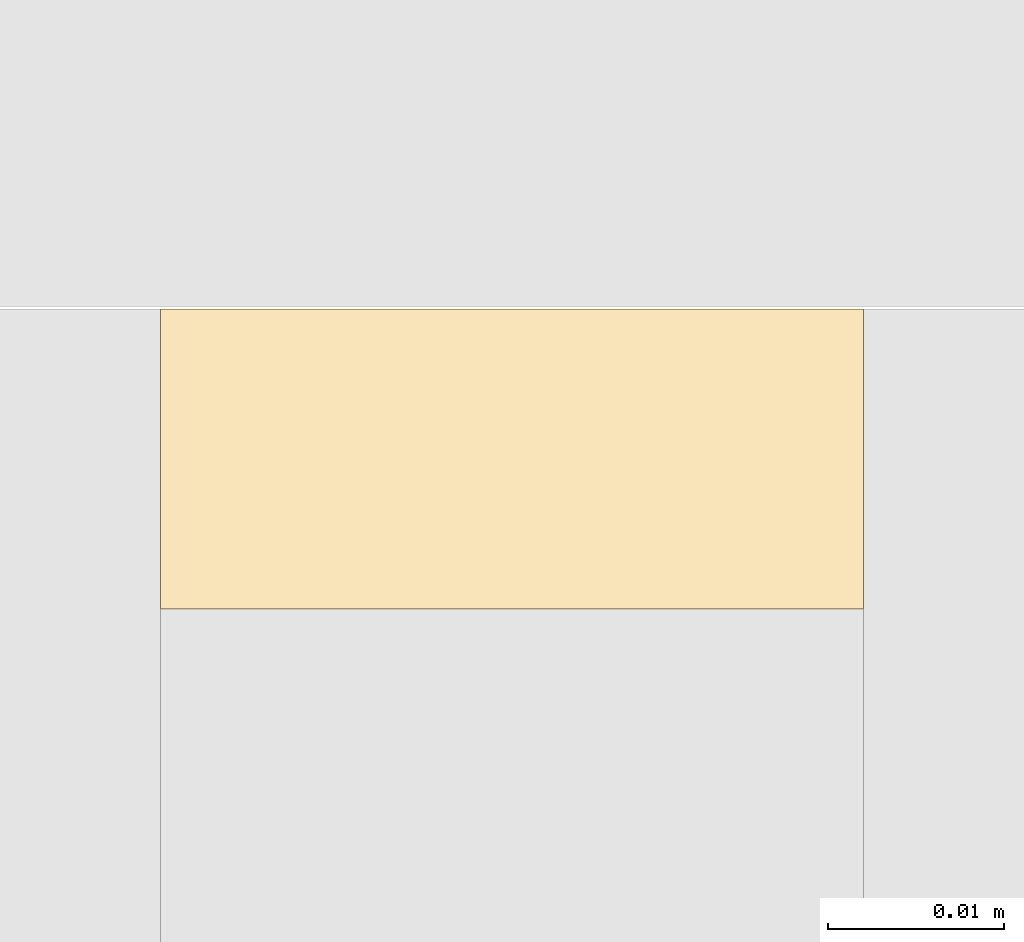
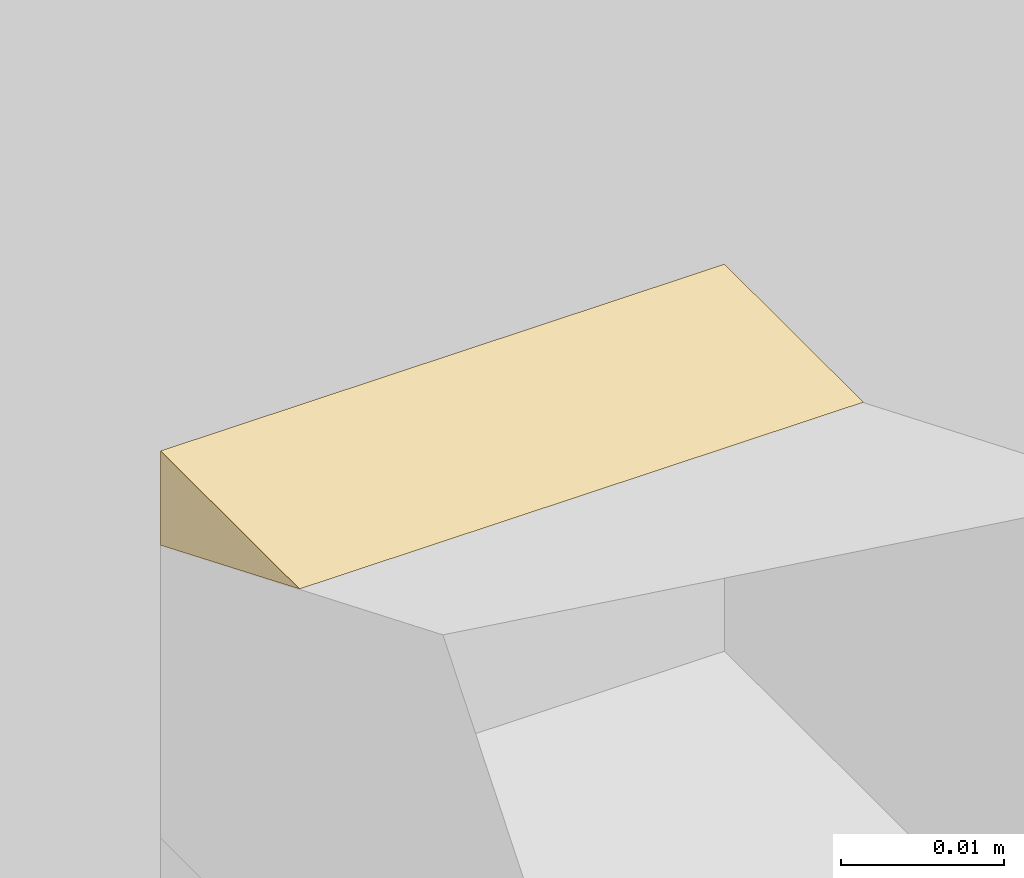
# One storey, part 23 of 25: 1 covering.
"""IFC4 building model written with IfcOpenShell, lengths in metres."""

from ifc_helpers import new_model, si_unit, direction, frame, origin, place, context, subcontext, project, spatial, polyline, outline, extrude, material, layer, layer_set, type_object, element, save


model = new_model("IFC4")

# Units and contexts
model_context = context("Model", 3, precision=1e-05, world=origin(), true_north=direction((0.0, 1.0)))
body_context = subcontext(model_context, "Body", "Model", "MODEL_VIEW")
ifc_project = project(units=[si_unit("LENGTHUNIT", "METRE"), si_unit("AREAUNIT", "SQUARE_METRE"), si_unit("VOLUMEUNIT", "CUBIC_METRE"), si_unit("PLANEANGLEUNIT", "RADIAN"), si_unit("MASSUNIT", "GRAM", prefix="KILO")], contexts=[model_context])

# Site, building, storey
site_placement = place(None, origin())
site = spatial("IfcSite", under=ifc_project, at=site_placement, CompositionType="ELEMENT")
building_placement = place(site_placement, origin())
building = spatial("IfcBuilding", under=site, at=building_placement, Name="Malebo Sky Hospital", CompositionType="ELEMENT")
storey_placement = place(building_placement, frame((0.0, 0.0, 241.0)))
storey = spatial("IfcBuildingStorey", under=building, at=storey_placement, Name="L58", CompositionType="ELEMENT", Elevation=241.0)

# Covering
ifc_material = material(Name="Anodised aluminium, natural silver insulated infill panel", Category="aluminium")
ifc_layer = layer(ifc_material, 0.0400390625)
ifc_layer_set = layer_set([ifc_layer], Name="BRACE INFILL PANEL 40")
covering_type = type_object("IfcCoveringType", Name="BRACE INFILL PANEL 40", PredefinedType="CLADDING", material=ifc_layer_set)
covering_placement = place(storey_placement, frame((37.425048828125, 67.953857421875, 3.3828125), z_axis=(0.0, 0.0, 1.0), x_axis=(0.0, 1.0, 0.0)))
element("IfcCovering", 1, at=covering_placement, inside=storey, type_object=covering_type, Name="Brace infill panel 9.3", PredefinedType="CLADDING", context=body_context, shape_type="SweptSolid", body=[
    extrude(outline(polyline([(0.008544921875, 0.0), (0.008544921875, 0.007080078125), (-0.008544921875, 0.007080078125), (0.008544921875, 0.0)])), frame((0.0, 0.02001953125, 0.0), z_axis=(0.0, -1.0, 0.0), x_axis=(1.0, 0.0, 0.0)), (0.0, 0.0, 1.0), 0.0400390625),
])

save(model, "model.ifc")
